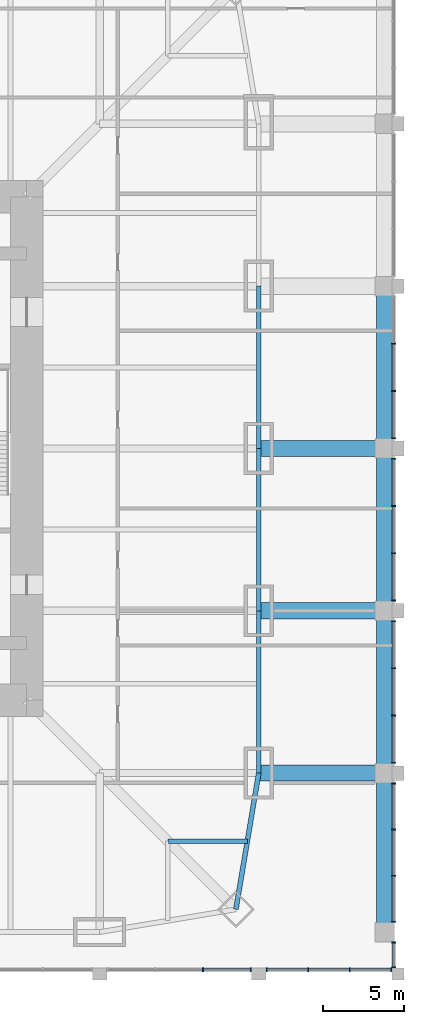
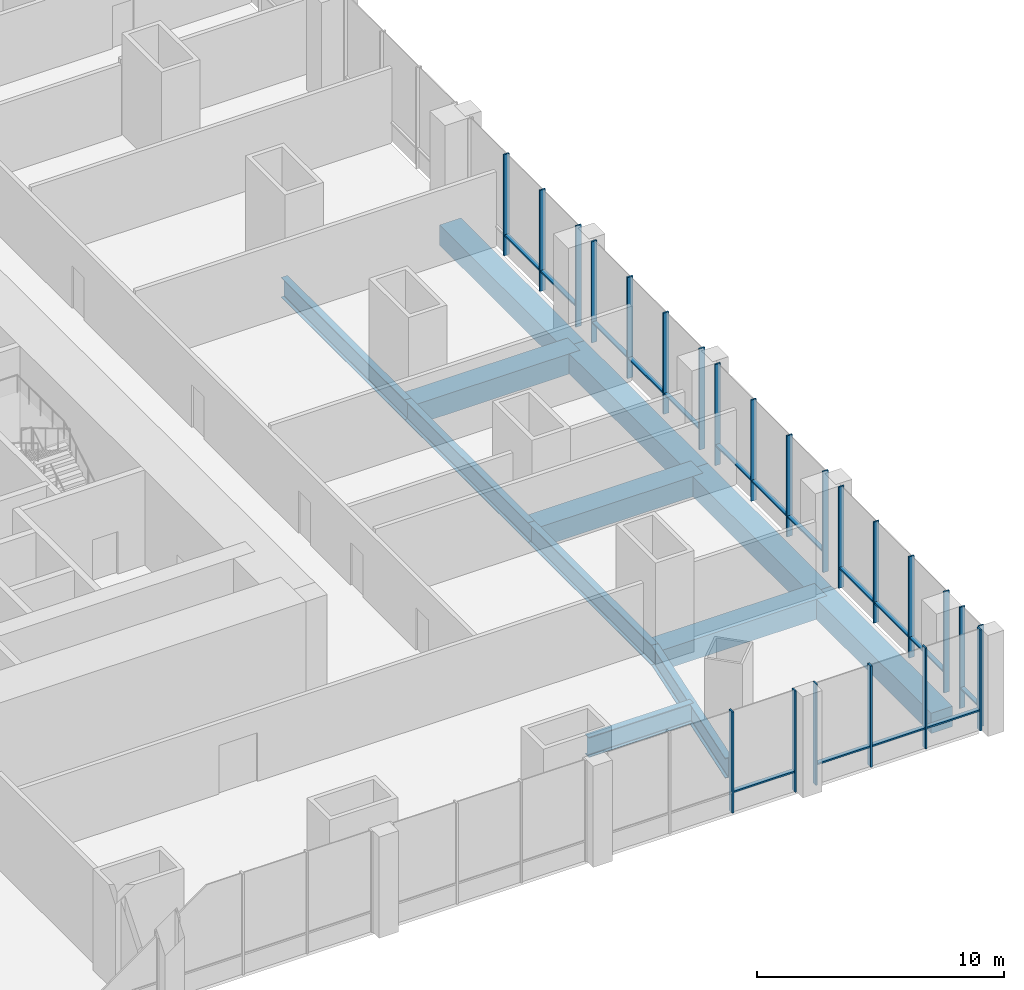
# One storey, part 8 of 24: 39 members, 12 beams, 7 elements without a shape of their own.
"""IFC4 building model written with IfcOpenShell, lengths in metres."""

from ifc_helpers import new_model, si_unit, direction, frame, origin, origin_2d, place, context, subcontext, project, spatial, rectangle, i_section, extrude, material, material_profile, profile_set, type_object, element, aggregate, save


model = new_model("IFC4")

# Units and contexts
model_context = context("Model", 3, precision=1e-05, world=origin(), true_north=direction((0.0, 1.0)))
body_context = subcontext(model_context, "Body", "Model", "MODEL_VIEW")
ifc_project = project(units=[si_unit("LENGTHUNIT", "METRE"), si_unit("AREAUNIT", "SQUARE_METRE"), si_unit("VOLUMEUNIT", "CUBIC_METRE"), si_unit("PLANEANGLEUNIT", "RADIAN"), si_unit("MASSUNIT", "GRAM", prefix="KILO")], contexts=[model_context])

# Site, building, storey
site_placement = place(None, origin())
site = spatial("IfcSite", under=ifc_project, at=site_placement, CompositionType="ELEMENT")
building_placement = place(site_placement, origin())
building = spatial("IfcBuilding", under=site, at=building_placement, Name="Khuree Lantern Residences", CompositionType="ELEMENT")
storey_placement = place(building_placement, frame((0.0, 0.0, 6.0)))
storey = spatial("IfcBuildingStorey", under=building, at=storey_placement, Name="L01", CompositionType="ELEMENT", Elevation=6.0)

# Beams
ifc_material_1 = material(Name="Steel S355", Category="steel")
ifc_material_profile_1 = material_profile(ifc_material_1, i_section(OverallWidth=0.300048828125, OverallDepth=1.0, WebThickness=0.01904296875, FlangeThickness=0.035888671875, FilletRadius=0.030029296875, at=origin_2d()), Name="HE 1000 B")
ifc_profile_set_1 = profile_set([ifc_material_profile_1], Name="Steel S355")
beam_type_1 = type_object("IfcBeamType", Name="B-01 SECONDARY BEAM HE 1000 B", PredefinedType="BEAM", material=ifc_profile_set_1)
beam_1_placement = place(storey_placement, frame((29.09716796875, -24.197021484375, -0.800048828125), z_axis=(-1.0, 0.0, 0.0), x_axis=(0.0, -1.0, 0.0)))
element("IfcBeam", 1, at=beam_1_placement, inside=storey, type_object=beam_type_1, Name="Secondary beam E6", PredefinedType="BEAM", context=body_context, shape_type="SweptSolid", body=[
    extrude(i_section(OverallWidth=0.300048828125, OverallDepth=1.0, WebThickness=0.01904296875, FlangeThickness=0.035888671875, FilletRadius=0.030029296875, at=origin_2d()), origin(), (0.0, 0.0, 1.0), 4.900146484375),
])
ifc_material_profile_2 = material_profile(ifc_material_1, i_section(OverallWidth=0.300048828125, OverallDepth=1.0, WebThickness=0.01904296875, FlangeThickness=0.035888671875, FilletRadius=0.030029296875, at=origin_2d()), Name="HE 1000 B")
ifc_profile_set_2 = profile_set([ifc_material_profile_2], Name="Steel S355")
beam_type_2 = type_object("IfcBeamType", Name="E-01 SPANDREL BEAM HE 1000 B", PredefinedType="SPANDREL", material=ifc_profile_set_2)
for number, where, z_axis, x_axis, name in (
    (2, (29.800048828125, 10.0, -0.800048828125), (0.0, -1.0, 0.0), (1.0, 0.0, 0.0), "Spandrel beam E3"),
    (3, (29.800048828125, 0.0, -0.800048828125), (0.0, -1.0, 0.0), (1.0, 0.0, 0.0), "Spandrel beam E4"),
    (4, (29.800048828125, -10.0, -0.800048828125), (0.0, -1.0, 0.0), (1.0, 0.0, 0.0), "Spandrel beam E5"),
):
    element("IfcBeam", number, at=place(storey_placement, frame(where, z_axis=z_axis, x_axis=x_axis)), inside=storey, type_object=beam_type_2, Name=name, PredefinedType="SPANDREL", context=body_context, shape_type="SweptSolid", body=[
        extrude(i_section(OverallWidth=0.300048828125, OverallDepth=1.0, WebThickness=0.01904296875, FlangeThickness=0.035888671875, FilletRadius=0.030029296875, at=origin_2d()), origin(), (0.0, 0.0, 1.0), 10.0),
    ])
beam_2_placement = place(storey_placement, frame((29.800048828125, -20.0, -0.800048828125), z_axis=(-0.165199022349, -0.986260251158, 0.0), x_axis=(0.986260251158, -0.165199022349, 0.0)))
element("IfcBeam", 5, at=beam_2_placement, inside=storey, type_object=beam_type_2, Name="Spandrel beam E6", PredefinedType="SPANDREL", context=body_context, shape_type="SweptSolid", body=[
    extrude(i_section(OverallWidth=0.300048828125, OverallDepth=1.0, WebThickness=0.01904296875, FlangeThickness=0.035888671875, FilletRadius=0.030029296875, at=origin_2d()), origin(), (0.0, 0.0, 1.0), 8.510986328125),
])

# Curtain wall, members
ifc_material_2 = material(Name="Bronze anodised aluminium", Category="aluminium")
curtain_wall_type = type_object("IfcCurtainWallType", Name="CW-P PODIUM STOREFRONT CURTAIN WALL", PredefinedType="USERDEFINED", material=ifc_material_2)
curtain_wall_1_placement = place(storey_placement, origin())
curtain_wall_1 = element("IfcCurtainWall", 6, at=curtain_wall_1_placement, inside=storey, type_object=curtain_wall_type, Name="L01 SOUTH FACE BAY 7 STOREFRONT", ObjectType="Storefront curtain wall", PredefinedType="USERDEFINED")
ifc_material_profile_3 = material_profile(ifc_material_2, rectangle(XDim=0.074951171875, YDim=0.25, at=origin_2d()), Name="M5 75X250")
ifc_profile_set_3 = profile_set([ifc_material_profile_3], Name="Bronze anodised aluminium")
member_type_1 = type_object("IfcMemberType", Name="MULLION M5 STOREFRONT 75X250", PredefinedType="MULLION", material=ifc_profile_set_3)
member_1_placement = place(storey_placement, frame((26.370849609375, -32.125, 0.0), z_axis=(0.0, 0.0, 1.0), x_axis=(1.0, 0.0, 0.0)))
member_1 = element("IfcMember", 7, at=member_1_placement, type_object=member_type_1, Name="L01 SOUTH FACE BAY 7 MULLION 3", PredefinedType="MULLION", context=body_context, shape_type="SweptSolid", body=[
    extrude(rectangle(XDim=0.074951171875, YDim=0.25, at=origin_2d()), origin(), (0.0, 0.0, 1.0), 5.0),
])
member_2_placement = place(storey_placement, frame((29.3125, -32.125, 0.0), z_axis=(0.0, 0.0, 1.0), x_axis=(1.0, 0.0, 0.0)))
member_2 = element("IfcMember", 8, at=member_2_placement, type_object=member_type_1, Name="L01 SOUTH FACE BAY 7 MULLION 4", PredefinedType="MULLION", context=body_context, shape_type="SweptSolid", body=[
    extrude(rectangle(XDim=0.074951171875, YDim=0.25, at=origin_2d()), origin(), (0.0, 0.0, 1.0), 5.0),
])

curtain_wall_2_placement = place(storey_placement, origin())
curtain_wall_2 = element("IfcCurtainWall", 9, at=curtain_wall_2_placement, inside=storey, type_object=curtain_wall_type, Name="L01 SOUTH FACE BAY 8 STOREFRONT", ObjectType="Storefront curtain wall", PredefinedType="USERDEFINED")
member_3_placement = place(storey_placement, frame((30.28759765625, -32.125, 0.0), z_axis=(0.0, 0.0, 1.0), x_axis=(1.0, 0.0, 0.0)))
member_3 = element("IfcMember", 10, at=member_3_placement, type_object=member_type_1, Name="L01 SOUTH FACE BAY 8 MULLION 1", PredefinedType="MULLION", context=body_context, shape_type="SweptSolid", body=[
    extrude(rectangle(XDim=0.074951171875, YDim=0.25, at=origin_2d()), origin(), (0.0, 0.0, 1.0), 5.0),
])
member_4_placement = place(storey_placement, frame((32.845947265625, -32.125, 0.0), z_axis=(0.0, 0.0, 1.0), x_axis=(1.0, 0.0, 0.0)))
member_4 = element("IfcMember", 11, at=member_4_placement, type_object=member_type_1, Name="L01 SOUTH FACE BAY 8 MULLION 2", PredefinedType="MULLION", context=body_context, shape_type="SweptSolid", body=[
    extrude(rectangle(XDim=0.074951171875, YDim=0.25, at=origin_2d()), origin(), (0.0, 0.0, 1.0), 5.0),
])
member_5_placement = place(storey_placement, frame((35.404052734375, -32.125, 0.0), z_axis=(0.0, 0.0, 1.0), x_axis=(1.0, 0.0, 0.0)))
member_5 = element("IfcMember", 12, at=member_5_placement, type_object=member_type_1, Name="L01 SOUTH FACE BAY 8 MULLION 3", PredefinedType="MULLION", context=body_context, shape_type="SweptSolid", body=[
    extrude(rectangle(XDim=0.074951171875, YDim=0.25, at=origin_2d()), origin(), (0.0, 0.0, 1.0), 5.0),
])
member_6_placement = place(storey_placement, frame((37.96240234375, -32.125, 0.0), z_axis=(0.0, 0.0, 1.0), x_axis=(1.0, 0.0, 0.0)))
member_6 = element("IfcMember", 13, at=member_6_placement, type_object=member_type_1, Name="L01 SOUTH FACE BAY 8 MULLION 4", PredefinedType="MULLION", context=body_context, shape_type="SweptSolid", body=[
    extrude(rectangle(XDim=0.074951171875, YDim=0.25, at=origin_2d()), origin(), (0.0, 0.0, 1.0), 5.0),
])

curtain_wall_3_placement = place(storey_placement, origin())
curtain_wall_3 = element("IfcCurtainWall", 14, at=curtain_wall_3_placement, inside=storey, type_object=curtain_wall_type, Name="L01 EAST FACE BAY 1 STOREFRONT", ObjectType="Storefront curtain wall", PredefinedType="USERDEFINED")
member_7_placement = place(storey_placement, frame((38.125, -31.96240234375, 0.0), z_axis=(0.0, 0.0, 1.0), x_axis=(0.0, 1.0, 0.0)))
member_7 = element("IfcMember", 15, at=member_7_placement, type_object=member_type_1, Name="L01 EAST FACE BAY 1 MULLION 1", PredefinedType="MULLION", context=body_context, shape_type="SweptSolid", body=[
    extrude(rectangle(XDim=0.074951171875, YDim=0.25, at=origin_2d()), origin(), (0.0, 0.0, 1.0), 5.0),
])
member_8_placement = place(storey_placement, frame((38.125, -30.4375, 0.0), z_axis=(0.0, 0.0, 1.0), x_axis=(0.0, 1.0, 0.0)))
member_8 = element("IfcMember", 16, at=member_8_placement, type_object=member_type_1, Name="L01 EAST FACE BAY 1 MULLION 2", PredefinedType="MULLION", context=body_context, shape_type="SweptSolid", body=[
    extrude(rectangle(XDim=0.074951171875, YDim=0.25, at=origin_2d()), origin(), (0.0, 0.0, 1.0), 5.0),
])

curtain_wall_4_placement = place(storey_placement, origin())
curtain_wall_4 = element("IfcCurtainWall", 17, at=curtain_wall_4_placement, inside=storey, type_object=curtain_wall_type, Name="L01 EAST FACE BAY 1B STOREFRONT", ObjectType="Storefront curtain wall", PredefinedType="USERDEFINED")
member_9_placement = place(storey_placement, frame((38.125, -29.16259765625, 0.0), z_axis=(0.0, 0.0, 1.0), x_axis=(0.0, 1.0, 0.0)))
member_9 = element("IfcMember", 18, at=member_9_placement, type_object=member_type_1, Name="L01 EAST FACE BAY 1B MULLION 1", PredefinedType="MULLION", context=body_context, shape_type="SweptSolid", body=[
    extrude(rectangle(XDim=0.074951171875, YDim=0.25, at=origin_2d()), origin(), (0.0, 0.0, 1.0), 5.0),
])
member_10_placement = place(storey_placement, frame((38.125, -26.32080078125, 0.0), z_axis=(0.0, 0.0, 1.0), x_axis=(0.0, 1.0, 0.0)))
member_10 = element("IfcMember", 19, at=member_10_placement, type_object=member_type_1, Name="L01 EAST FACE BAY 1B MULLION 2", PredefinedType="MULLION", context=body_context, shape_type="SweptSolid", body=[
    extrude(rectangle(XDim=0.074951171875, YDim=0.25, at=origin_2d()), origin(), (0.0, 0.0, 1.0), 5.0),
])
member_11_placement = place(storey_placement, frame((38.125, -23.479248046875, 0.0), z_axis=(0.0, 0.0, 1.0), x_axis=(0.0, 1.0, 0.0)))
member_11 = element("IfcMember", 20, at=member_11_placement, type_object=member_type_1, Name="L01 EAST FACE BAY 1B MULLION 3", PredefinedType="MULLION", context=body_context, shape_type="SweptSolid", body=[
    extrude(rectangle(XDim=0.074951171875, YDim=0.25, at=origin_2d()), origin(), (0.0, 0.0, 1.0), 5.0),
])
member_12_placement = place(storey_placement, frame((38.125, -20.637451171875, 0.0), z_axis=(0.0, 0.0, 1.0), x_axis=(0.0, 1.0, 0.0)))
member_12 = element("IfcMember", 21, at=member_12_placement, type_object=member_type_1, Name="L01 EAST FACE BAY 1B MULLION 4", PredefinedType="MULLION", context=body_context, shape_type="SweptSolid", body=[
    extrude(rectangle(XDim=0.074951171875, YDim=0.25, at=origin_2d()), origin(), (0.0, 0.0, 1.0), 5.0),
])

curtain_wall_5_placement = place(storey_placement, origin())
curtain_wall_5 = element("IfcCurtainWall", 22, at=curtain_wall_5_placement, inside=storey, type_object=curtain_wall_type, Name="L01 EAST FACE BAY 2 STOREFRONT", ObjectType="Storefront curtain wall", PredefinedType="USERDEFINED")
member_13_placement = place(storey_placement, frame((38.125, -19.362548828125, 0.0), z_axis=(0.0, 0.0, 1.0), x_axis=(0.0, 1.0, 0.0)))
member_13 = element("IfcMember", 23, at=member_13_placement, type_object=member_type_1, Name="L01 EAST FACE BAY 2 MULLION 1", PredefinedType="MULLION", context=body_context, shape_type="SweptSolid", body=[
    extrude(rectangle(XDim=0.074951171875, YDim=0.25, at=origin_2d()), origin(), (0.0, 0.0, 1.0), 5.0),
])
member_14_placement = place(storey_placement, frame((38.125, -16.4541015625, 0.0), z_axis=(0.0, 0.0, 1.0), x_axis=(0.0, 1.0, 0.0)))
member_14 = element("IfcMember", 24, at=member_14_placement, type_object=member_type_1, Name="L01 EAST FACE BAY 2 MULLION 2", PredefinedType="MULLION", context=body_context, shape_type="SweptSolid", body=[
    extrude(rectangle(XDim=0.074951171875, YDim=0.25, at=origin_2d()), origin(), (0.0, 0.0, 1.0), 5.0),
])
member_15_placement = place(storey_placement, frame((38.125, -13.5458984375, 0.0), z_axis=(0.0, 0.0, 1.0), x_axis=(0.0, 1.0, 0.0)))
member_15 = element("IfcMember", 25, at=member_15_placement, type_object=member_type_1, Name="L01 EAST FACE BAY 2 MULLION 3", PredefinedType="MULLION", context=body_context, shape_type="SweptSolid", body=[
    extrude(rectangle(XDim=0.074951171875, YDim=0.25, at=origin_2d()), origin(), (0.0, 0.0, 1.0), 5.0),
])
member_16_placement = place(storey_placement, frame((38.125, -10.637451171875, 0.0), z_axis=(0.0, 0.0, 1.0), x_axis=(0.0, 1.0, 0.0)))
member_16 = element("IfcMember", 26, at=member_16_placement, type_object=member_type_1, Name="L01 EAST FACE BAY 2 MULLION 4", PredefinedType="MULLION", context=body_context, shape_type="SweptSolid", body=[
    extrude(rectangle(XDim=0.074951171875, YDim=0.25, at=origin_2d()), origin(), (0.0, 0.0, 1.0), 5.0),
])

curtain_wall_6_placement = place(storey_placement, origin())
curtain_wall_6 = element("IfcCurtainWall", 27, at=curtain_wall_6_placement, inside=storey, type_object=curtain_wall_type, Name="L01 EAST FACE BAY 3 STOREFRONT", ObjectType="Storefront curtain wall", PredefinedType="USERDEFINED")
member_17_placement = place(storey_placement, frame((38.125, -9.362548828125, 0.0), z_axis=(0.0, 0.0, 1.0), x_axis=(0.0, 1.0, 0.0)))
member_17 = element("IfcMember", 28, at=member_17_placement, type_object=member_type_1, Name="L01 EAST FACE BAY 3 MULLION 1", PredefinedType="MULLION", context=body_context, shape_type="SweptSolid", body=[
    extrude(rectangle(XDim=0.074951171875, YDim=0.25, at=origin_2d()), origin(), (0.0, 0.0, 1.0), 5.0),
])
member_18_placement = place(storey_placement, frame((38.125, -6.4541015625, 0.0), z_axis=(0.0, 0.0, 1.0), x_axis=(0.0, 1.0, 0.0)))
member_18 = element("IfcMember", 29, at=member_18_placement, type_object=member_type_1, Name="L01 EAST FACE BAY 3 MULLION 2", PredefinedType="MULLION", context=body_context, shape_type="SweptSolid", body=[
    extrude(rectangle(XDim=0.074951171875, YDim=0.25, at=origin_2d()), origin(), (0.0, 0.0, 1.0), 5.0),
])
member_19_placement = place(storey_placement, frame((38.125, -3.5458984375, 0.0), z_axis=(0.0, 0.0, 1.0), x_axis=(0.0, 1.0, 0.0)))
member_19 = element("IfcMember", 30, at=member_19_placement, type_object=member_type_1, Name="L01 EAST FACE BAY 3 MULLION 3", PredefinedType="MULLION", context=body_context, shape_type="SweptSolid", body=[
    extrude(rectangle(XDim=0.074951171875, YDim=0.25, at=origin_2d()), origin(), (0.0, 0.0, 1.0), 5.0),
])
member_20_placement = place(storey_placement, frame((38.125, -0.637451171875, 0.0), z_axis=(0.0, 0.0, 1.0), x_axis=(0.0, 1.0, 0.0)))
member_20 = element("IfcMember", 31, at=member_20_placement, type_object=member_type_1, Name="L01 EAST FACE BAY 3 MULLION 4", PredefinedType="MULLION", context=body_context, shape_type="SweptSolid", body=[
    extrude(rectangle(XDim=0.074951171875, YDim=0.25, at=origin_2d()), origin(), (0.0, 0.0, 1.0), 5.0),
])

curtain_wall_7_placement = place(storey_placement, origin())
curtain_wall_7 = element("IfcCurtainWall", 32, at=curtain_wall_7_placement, inside=storey, type_object=curtain_wall_type, Name="L01 EAST FACE BAY 4 STOREFRONT", ObjectType="Storefront curtain wall", PredefinedType="USERDEFINED")
member_21_placement = place(storey_placement, frame((38.125, 0.637451171875, 0.0), z_axis=(0.0, 0.0, 1.0), x_axis=(0.0, 1.0, 0.0)))
member_21 = element("IfcMember", 33, at=member_21_placement, type_object=member_type_1, Name="L01 EAST FACE BAY 4 MULLION 1", PredefinedType="MULLION", context=body_context, shape_type="SweptSolid", body=[
    extrude(rectangle(XDim=0.074951171875, YDim=0.25, at=origin_2d()), origin(), (0.0, 0.0, 1.0), 5.0),
])
member_22_placement = place(storey_placement, frame((38.125, 3.5458984375, 0.0), z_axis=(0.0, 0.0, 1.0), x_axis=(0.0, 1.0, 0.0)))
member_22 = element("IfcMember", 34, at=member_22_placement, type_object=member_type_1, Name="L01 EAST FACE BAY 4 MULLION 2", PredefinedType="MULLION", context=body_context, shape_type="SweptSolid", body=[
    extrude(rectangle(XDim=0.074951171875, YDim=0.25, at=origin_2d()), origin(), (0.0, 0.0, 1.0), 5.0),
])
member_23_placement = place(storey_placement, frame((38.125, 6.4541015625, 0.0), z_axis=(0.0, 0.0, 1.0), x_axis=(0.0, 1.0, 0.0)))
member_23 = element("IfcMember", 35, at=member_23_placement, type_object=member_type_1, Name="L01 EAST FACE BAY 4 MULLION 3", PredefinedType="MULLION", context=body_context, shape_type="SweptSolid", body=[
    extrude(rectangle(XDim=0.074951171875, YDim=0.25, at=origin_2d()), origin(), (0.0, 0.0, 1.0), 5.0),
])

# Beams
ifc_material_3 = material(Name="Concrete C40/50", Category="concrete")
ifc_material_profile_4 = material_profile(ifc_material_3, rectangle(XDim=1.0, YDim=1.0, at=origin_2d()), Name="RC 1000X1000")
ifc_profile_set_4 = profile_set([ifc_material_profile_4], Name="Concrete C40/50")
beam_type_3 = type_object("IfcBeamType", Name="RB3 PODIUM BEAM RC 1000X1000", PredefinedType="BEAM", material=ifc_profile_set_4)
for number, where, z_axis, x_axis, name in (
    (36, (29.800048828125, -20.0, -0.800048828125), (1.0, 0.0, 0.0), (0.0, 1.0, 0.0), "Podium beam RB-2"),
    (37, (29.800048828125, -10.0, -0.800048828125), (1.0, 0.0, 0.0), (0.0, 1.0, 0.0), "Podium beam RB-4"),
    (38, (29.800048828125, 0.0, -0.800048828125), (1.0, 0.0, 0.0), (0.0, 1.0, 0.0), "Podium beam RB-6"),
):
    element("IfcBeam", number, at=place(storey_placement, frame(where, z_axis=z_axis, x_axis=x_axis)), inside=storey, type_object=beam_type_3, Name=name, PredefinedType="BEAM", context=body_context, shape_type="SweptSolid", body=[
        extrude(rectangle(XDim=1.0, YDim=1.0, at=origin_2d()), origin(), (0.0, 0.0, 1.0), 7.75),
    ])
beam_3_placement = place(storey_placement, frame((37.550048828125, -29.800048828125, -0.800048828125), z_axis=(0.0, 1.0, 0.0), x_axis=(-1.0, 0.0, 0.0)))
element("IfcBeam", 39, at=beam_3_placement, inside=storey, type_object=beam_type_3, Name="Podium beam RB-45", PredefinedType="BEAM", context=body_context, shape_type="SweptSolid", body=[
    extrude(rectangle(XDim=1.0, YDim=1.0, at=origin_2d()), origin(), (0.0, 0.0, 1.0), 9.800048828125),
])
for number, where, z_axis, x_axis, name in (
    (40, (37.550048828125, -20.0, -0.800048828125), (0.0, 1.0, 0.0), (-1.0, 0.0, 0.0), "Podium beam RB-46"),
    (41, (37.550048828125, -10.0, -0.800048828125), (0.0, 1.0, 0.0), (-1.0, 0.0, 0.0), "Podium beam RB-47"),
    (42, (37.550048828125, 0.0, -0.800048828125), (0.0, 1.0, 0.0), (-1.0, 0.0, 0.0), "Podium beam RB-48"),
):
    element("IfcBeam", number, at=place(storey_placement, frame(where, z_axis=z_axis, x_axis=x_axis)), inside=storey, type_object=beam_type_3, Name=name, PredefinedType="BEAM", context=body_context, shape_type="SweptSolid", body=[
        extrude(rectangle(XDim=1.0, YDim=1.0, at=origin_2d()), origin(), (0.0, 0.0, 1.0), 10.0),
    ])

# Member
ifc_material_profile_5 = material_profile(ifc_material_2, rectangle(XDim=0.199951171875, YDim=0.074951171875, at=origin_2d()), Name="T5 200X75")
ifc_profile_set_5 = profile_set([ifc_material_profile_5], Name="Bronze anodised aluminium")
member_type_2 = type_object("IfcMemberType", Name="TRANSOM T5 STOREFRONT 200X75", PredefinedType="USERDEFINED", material=ifc_profile_set_5)
member_24_placement = place(storey_placement, frame((26.408447265625, -32.1201171875, 1.0), z_axis=(1.0, 0.0, 0.0), x_axis=(0.0, 1.0, 0.0)))
member_24 = element("IfcMember", 43, at=member_24_placement, type_object=member_type_2, Name="L01 SOUTH FACE BAY 7 TRANSOM 3", ObjectType="Transom", PredefinedType="USERDEFINED", context=body_context, shape_type="SweptSolid", body=[
    extrude(rectangle(XDim=0.199951171875, YDim=0.074951171875, at=origin_2d()), origin(), (0.0, 0.0, 1.0), 2.866455078125),
])

aggregate(curtain_wall_1, [member_1, member_2, member_24])

member_25_placement = place(storey_placement, frame((30.324951171875, -32.1201171875, 1.0), z_axis=(1.0, 0.0, 0.0), x_axis=(0.0, 1.0, 0.0)))
member_25 = element("IfcMember", 44, at=member_25_placement, type_object=member_type_2, Name="L01 SOUTH FACE BAY 8 TRANSOM 1", ObjectType="Transom", PredefinedType="USERDEFINED", context=body_context, shape_type="SweptSolid", body=[
    extrude(rectangle(XDim=0.199951171875, YDim=0.074951171875, at=origin_2d()), origin(), (0.0, 0.0, 1.0), 2.4833984375),
])

member_26_placement = place(storey_placement, frame((32.88330078125, -32.1201171875, 1.0), z_axis=(1.0, 0.0, 0.0), x_axis=(0.0, 1.0, 0.0)))
member_26 = element("IfcMember", 45, at=member_26_placement, type_object=member_type_2, Name="L01 SOUTH FACE BAY 8 TRANSOM 2", ObjectType="Transom", PredefinedType="USERDEFINED", context=body_context, shape_type="SweptSolid", body=[
    extrude(rectangle(XDim=0.199951171875, YDim=0.074951171875, at=origin_2d()), origin(), (0.0, 0.0, 1.0), 2.4833984375),
])

member_27_placement = place(storey_placement, frame((35.441650390625, -32.1201171875, 1.0), z_axis=(1.0, 0.0, 0.0), x_axis=(0.0, 1.0, 0.0)))
member_27 = element("IfcMember", 46, at=member_27_placement, type_object=member_type_2, Name="L01 SOUTH FACE BAY 8 TRANSOM 3", ObjectType="Transom", PredefinedType="USERDEFINED", context=body_context, shape_type="SweptSolid", body=[
    extrude(rectangle(XDim=0.199951171875, YDim=0.074951171875, at=origin_2d()), origin(), (0.0, 0.0, 1.0), 2.4833984375),
])

aggregate(curtain_wall_2, [member_3, member_4, member_5, member_6, member_25, member_26, member_27])

member_28_placement = place(storey_placement, frame((38.1201171875, -31.925048828125, 1.0), z_axis=(0.0, 1.0, 0.0), x_axis=(-1.0, 0.0, 0.0)))
member_28 = element("IfcMember", 47, at=member_28_placement, type_object=member_type_2, Name="L01 EAST FACE BAY 1 TRANSOM 1", ObjectType="Transom", PredefinedType="USERDEFINED", context=body_context, shape_type="SweptSolid", body=[
    extrude(rectangle(XDim=0.199951171875, YDim=0.074951171875, at=origin_2d()), origin(), (0.0, 0.0, 1.0), 1.449951171875),
])

aggregate(curtain_wall_3, [member_7, member_8, member_28])

member_29_placement = place(storey_placement, frame((38.1201171875, -29.125, 1.0), z_axis=(0.0, 1.0, 0.0), x_axis=(-1.0, 0.0, 0.0)))
member_29 = element("IfcMember", 48, at=member_29_placement, type_object=member_type_2, Name="L01 EAST FACE BAY 1B TRANSOM 1", ObjectType="Transom", PredefinedType="USERDEFINED", context=body_context, shape_type="SweptSolid", body=[
    extrude(rectangle(XDim=0.199951171875, YDim=0.074951171875, at=origin_2d()), origin(), (0.0, 0.0, 1.0), 2.7666015625),
])

member_30_placement = place(storey_placement, frame((38.1201171875, -26.283447265625, 1.0), z_axis=(0.0, 1.0, 0.0), x_axis=(-1.0, 0.0, 0.0)))
member_30 = element("IfcMember", 49, at=member_30_placement, type_object=member_type_2, Name="L01 EAST FACE BAY 1B TRANSOM 2", ObjectType="Transom", PredefinedType="USERDEFINED", context=body_context, shape_type="SweptSolid", body=[
    extrude(rectangle(XDim=0.199951171875, YDim=0.074951171875, at=origin_2d()), origin(), (0.0, 0.0, 1.0), 2.766845703125),
])

member_31_placement = place(storey_placement, frame((38.1201171875, -23.441650390625, 1.0), z_axis=(0.0, 1.0, 0.0), x_axis=(-1.0, 0.0, 0.0)))
member_31 = element("IfcMember", 50, at=member_31_placement, type_object=member_type_2, Name="L01 EAST FACE BAY 1B TRANSOM 3", ObjectType="Transom", PredefinedType="USERDEFINED", context=body_context, shape_type="SweptSolid", body=[
    extrude(rectangle(XDim=0.199951171875, YDim=0.074951171875, at=origin_2d()), origin(), (0.0, 0.0, 1.0), 2.7666015625),
])

aggregate(curtain_wall_4, [member_9, member_10, member_11, member_12, member_29, member_30, member_31])

member_32_placement = place(storey_placement, frame((38.1201171875, -19.324951171875, 1.0), z_axis=(0.0, 1.0, 0.0), x_axis=(-1.0, 0.0, 0.0)))
member_32 = element("IfcMember", 51, at=member_32_placement, type_object=member_type_2, Name="L01 EAST FACE BAY 2 TRANSOM 1", ObjectType="Transom", PredefinedType="USERDEFINED", context=body_context, shape_type="SweptSolid", body=[
    extrude(rectangle(XDim=0.199951171875, YDim=0.074951171875, at=origin_2d()), origin(), (0.0, 0.0, 1.0), 2.833251953125),
])

member_33_placement = place(storey_placement, frame((38.1201171875, -16.416748046875, 1.0), z_axis=(0.0, 1.0, 0.0), x_axis=(-1.0, 0.0, 0.0)))
member_33 = element("IfcMember", 52, at=member_33_placement, type_object=member_type_2, Name="L01 EAST FACE BAY 2 TRANSOM 2", ObjectType="Transom", PredefinedType="USERDEFINED", context=body_context, shape_type="SweptSolid", body=[
    extrude(rectangle(XDim=0.199951171875, YDim=0.074951171875, at=origin_2d()), origin(), (0.0, 0.0, 1.0), 2.83349609375),
])

member_34_placement = place(storey_placement, frame((38.1201171875, -13.50830078125, 1.0), z_axis=(0.0, 1.0, 0.0), x_axis=(-1.0, 0.0, 0.0)))
member_34 = element("IfcMember", 53, at=member_34_placement, type_object=member_type_2, Name="L01 EAST FACE BAY 2 TRANSOM 3", ObjectType="Transom", PredefinedType="USERDEFINED", context=body_context, shape_type="SweptSolid", body=[
    extrude(rectangle(XDim=0.199951171875, YDim=0.074951171875, at=origin_2d()), origin(), (0.0, 0.0, 1.0), 2.833251953125),
])

aggregate(curtain_wall_5, [member_13, member_14, member_15, member_16, member_32, member_33, member_34])

member_35_placement = place(storey_placement, frame((38.1201171875, -9.324951171875, 1.0), z_axis=(0.0, 1.0, 0.0), x_axis=(-1.0, 0.0, 0.0)))
member_35 = element("IfcMember", 54, at=member_35_placement, type_object=member_type_2, Name="L01 EAST FACE BAY 3 TRANSOM 1", ObjectType="Transom", PredefinedType="USERDEFINED", context=body_context, shape_type="SweptSolid", body=[
    extrude(rectangle(XDim=0.199951171875, YDim=0.074951171875, at=origin_2d()), origin(), (0.0, 0.0, 1.0), 2.833251953125),
])

member_36_placement = place(storey_placement, frame((38.1201171875, -6.416748046875, 1.0), z_axis=(0.0, 1.0, 0.0), x_axis=(-1.0, 0.0, 0.0)))
member_36 = element("IfcMember", 55, at=member_36_placement, type_object=member_type_2, Name="L01 EAST FACE BAY 3 TRANSOM 2", ObjectType="Transom", PredefinedType="USERDEFINED", context=body_context, shape_type="SweptSolid", body=[
    extrude(rectangle(XDim=0.199951171875, YDim=0.074951171875, at=origin_2d()), origin(), (0.0, 0.0, 1.0), 2.83349609375),
])

member_37_placement = place(storey_placement, frame((38.1201171875, -3.50830078125, 1.0), z_axis=(0.0, 1.0, 0.0), x_axis=(-1.0, 0.0, 0.0)))
member_37 = element("IfcMember", 56, at=member_37_placement, type_object=member_type_2, Name="L01 EAST FACE BAY 3 TRANSOM 3", ObjectType="Transom", PredefinedType="USERDEFINED", context=body_context, shape_type="SweptSolid", body=[
    extrude(rectangle(XDim=0.199951171875, YDim=0.074951171875, at=origin_2d()), origin(), (0.0, 0.0, 1.0), 2.833251953125),
])

aggregate(curtain_wall_6, [member_17, member_18, member_19, member_20, member_35, member_36, member_37])

member_38_placement = place(storey_placement, frame((38.1201171875, 0.675048828125, 1.0), z_axis=(0.0, 1.0, 0.0), x_axis=(-1.0, 0.0, 0.0)))
member_38 = element("IfcMember", 57, at=member_38_placement, type_object=member_type_2, Name="L01 EAST FACE BAY 4 TRANSOM 1", ObjectType="Transom", PredefinedType="USERDEFINED", context=body_context, shape_type="SweptSolid", body=[
    extrude(rectangle(XDim=0.199951171875, YDim=0.074951171875, at=origin_2d()), origin(), (0.0, 0.0, 1.0), 2.833251953125),
])

member_39_placement = place(storey_placement, frame((38.1201171875, 3.583251953125, 1.0), z_axis=(0.0, 1.0, 0.0), x_axis=(-1.0, 0.0, 0.0)))
member_39 = element("IfcMember", 58, at=member_39_placement, type_object=member_type_2, Name="L01 EAST FACE BAY 4 TRANSOM 2", ObjectType="Transom", PredefinedType="USERDEFINED", context=body_context, shape_type="SweptSolid", body=[
    extrude(rectangle(XDim=0.199951171875, YDim=0.074951171875, at=origin_2d()), origin(), (0.0, 0.0, 1.0), 2.83349609375),
])

aggregate(curtain_wall_7, [member_21, member_22, member_23, member_38, member_39])

save(model, "model.ifc")
